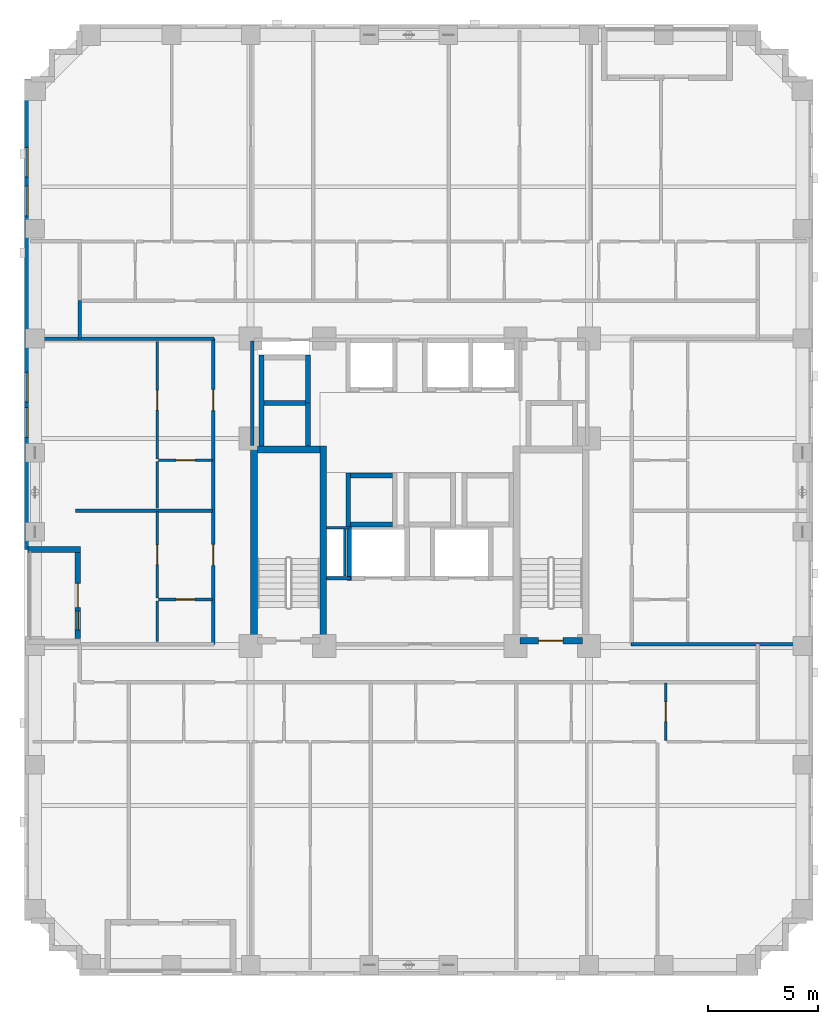
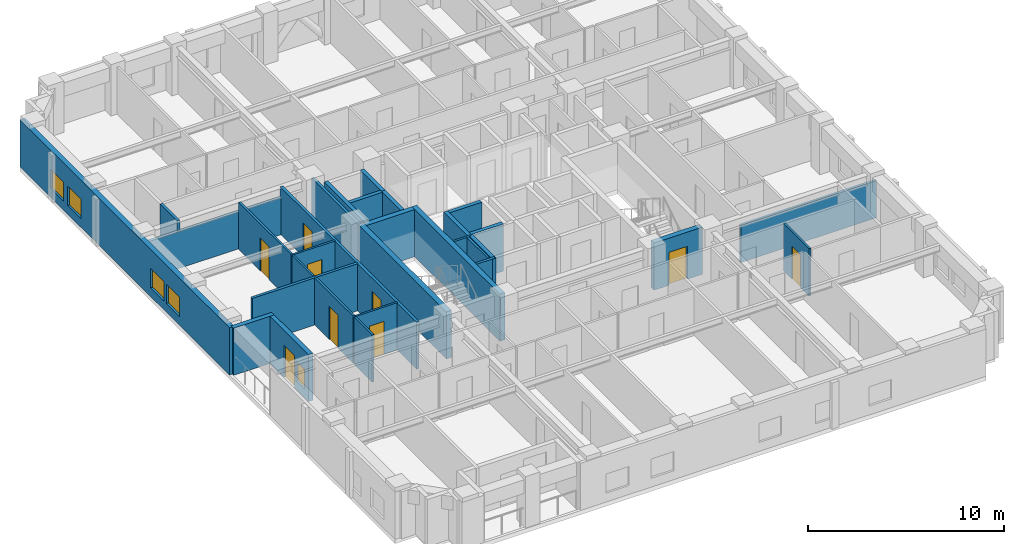
# One storey, part 4 of 12: 31 walls, 9 doors, 5 windows, 14 openings.
"""IFC4 building model written with IfcOpenShell, lengths in metres."""

from ifc_helpers import new_model, si_unit, derived_unit, direction, frame, frame_2d, origin, place, context, subcontext, project, spatial, rectangle, extrude, material, layer, layer_set, type_object, element, fill, save


model = new_model("IFC4")

# Units and contexts
model_context = context("Model", 3, precision=1e-05, world=origin(), true_north=direction((0.0, 1.0)))
body_context = subcontext(model_context, "Body", "Model", "MODEL_VIEW")
ifc_project = project(units=[si_unit("LENGTHUNIT", "METRE"), si_unit("AREAUNIT", "SQUARE_METRE"), si_unit("VOLUMEUNIT", "CUBIC_METRE"), si_unit("PLANEANGLEUNIT", "RADIAN"), si_unit("MASSUNIT", "GRAM", prefix="KILO"), derived_unit("THERMALTRANSMITTANCEUNIT", [(si_unit("MASSUNIT", "GRAM", prefix="KILO"), 1), (si_unit("TIMEUNIT", "SECOND"), -3), (si_unit("THERMODYNAMICTEMPERATUREUNIT", "KELVIN"), -1)])], contexts=[model_context])

# Site, building, storey
site_placement = place(None, origin())
site = spatial("IfcSite", under=ifc_project, at=site_placement, CompositionType="ELEMENT")
building_placement = place(site_placement, origin())
building = spatial("IfcBuilding", under=site, at=building_placement, Name="Korrvale Station Residences", CompositionType="ELEMENT")
storey_placement = place(building_placement, frame((0.0, 0.0, 94.300048828125)))
storey = spatial("IfcBuildingStorey", under=building, at=storey_placement, Name="L26", CompositionType="ELEMENT", Elevation=94.300048828125)

# Walls
ifc_material_1 = material(Name="Concrete C60/75", Category="concrete")
ifc_layer_1 = layer(ifc_material_1, 0.300048828125, Name="Concrete C60/75")
ifc_layer_set_1 = layer_set([ifc_layer_1], Name="Concrete C60/75")
wall_type_1 = type_object("IfcWallType", Name="WAL-CORE-300-C60", PredefinedType="SHEAR", material=ifc_layer_set_1)
for number, where, z_axis, x_axis, name in (
    (1, (17.949951171875, 15.10009765625, 0.0), (0.0, 0.0, 1.0), (0.0, 1.0, 0.0), "L26 ST-1 Core Shear Wall West"),
    (2, (21.10009765625, 15.10009765625, 0.0), (0.0, 0.0, 1.0), (0.0, 1.0, 0.0), "L26 ST-1 Core Shear Wall East"),
):
    element("IfcWall", number, at=place(storey_placement, frame(where, z_axis=z_axis, x_axis=x_axis)), inside=storey, type_object=wall_type_1, Name=name, PredefinedType="SHEAR", context=body_context, shape_type="SweptSolid", body=[
        extrude(rectangle(XDim=9.0, YDim=0.300048828125, at=frame_2d((4.5, 0.0))), origin(), (0.0, 0.0, 1.0), 2.93994140625),
    ])
wall_1_placement = place(storey_placement, frame((18.10009765625, 23.949951171875, 0.0), z_axis=(0.0, 0.0, 1.0), x_axis=(1.0, 0.0, 0.0)))
element("IfcWall", 3, at=wall_1_placement, inside=storey, type_object=wall_type_1, Name="L26 ST-1 Core Shear Wall North", PredefinedType="SHEAR", context=body_context, shape_type="SweptSolid", body=[
    extrude(rectangle(XDim=2.849853515625, YDim=0.300048828125, at=frame_2d((1.4248046875, 0.0))), origin(), (0.0, 0.0, 1.0), 2.93994140625),
])

# Wall, opening, door
wall_2_placement = place(storey_placement, frame((30.050048828125, 15.25, 0.0), z_axis=(0.0, 0.0, 1.0), x_axis=(1.0, 0.0, 0.0)))
wall_2 = element("IfcWall", 4, at=wall_2_placement, inside=storey, type_object=wall_type_1, Name="L26 ST-2 Core Shear Wall South", PredefinedType="SHEAR", context=body_context, shape_type="SweptSolid", body=[
    extrude(rectangle(XDim=2.849853515625, YDim=0.300048828125, at=frame_2d((1.4248046875, 0.0))), origin(), (0.0, 0.0, 1.0), 2.93994140625),
])
opening_1_placement = place(wall_2_placement, frame((0.860107421875, 0.0, 0.0)))
opening_1 = element("IfcOpeningElement", 5, at=opening_1_placement, cuts=wall_2, Name="Opening SD-1100", PredefinedType="OPENING", context=body_context, shape_type="SweptSolid", body=[
    extrude(rectangle(XDim=1.10009765625, YDim=2.050048828125, at=frame_2d((0.550048828125, 1.02490234375))), frame((0.0, 0.16015625, 0.0), z_axis=(0.0, -1.0, 0.0), x_axis=(1.0, 0.0, 0.0)), (0.0, 0.0, 1.0), 0.320068359375),
])
ifc_material_2 = material(Name="Hollow-metal fire-rated stair door with closer", Category="steel")
door_type_1 = type_object("IfcDoorType", Name="DR-STAIR-1100", OperationType="NOTDEFINED", PredefinedType="DOOR", material=ifc_material_2)
door_1_placement = place(opening_1_placement, origin())
door_1 = element("IfcDoor", 6, at=door_1_placement, inside=storey, type_object=door_type_1, Name="L26 ST-2 Exit Stair Door", OperationType="SINGLE_SWING_RIGHT", OverallHeight=2.050048828125, OverallWidth=1.10009765625, PredefinedType="DOOR", context=body_context, shape_type="SweptSolid", body=[
    extrude(rectangle(XDim=1.10009765625, YDim=2.050048828125, at=frame_2d((0.550048828125, 1.02490234375))), frame((0.0, 0.02490234375, 0.0), z_axis=(0.0, -1.0, 0.0), x_axis=(1.0, 0.0, 0.0)), (0.0, 0.0, 1.0), 0.050048828125),
])
fill(opening_1, door_1)

# Wall, openings, door, window
ifc_material_3 = material(Name="Precast concrete C45/55", Category="concrete")
ifc_layer_2 = layer(ifc_material_3, 0.260009765625, Name="Precast concrete C45/55")
ifc_layer_set_2 = layer_set([ifc_layer_2], Name="Precast concrete C45/55")
wall_type_2 = type_object("IfcWallType", Name="WAL-EXT-LOG260", PredefinedType="SOLIDWALL", material=ifc_layer_set_2)
wall_3_placement = place(storey_placement, frame((9.929931640625, 15.333984375, 0.0), z_axis=(0.0, 0.0, 1.0), x_axis=(0.0, 1.0, 0.0)))
wall_3 = element("IfcWall", 7, at=wall_3_placement, inside=storey, type_object=wall_type_2, Name="L26 Recessed Loggia Wall BAL-L26-W1-B", PredefinedType="SOLIDWALL", context=body_context, shape_type="SweptSolid", body=[
    extrude(rectangle(XDim=3.93212890625, YDim=0.260009765625, at=frame_2d((1.966064453125, 0.0))), origin(), (0.0, 0.0, 1.0), 2.93994140625),
])
opening_2_placement = place(wall_3_placement, frame((1.416015625, 0.0, 0.0)))
opening_2 = element("IfcOpeningElement", 8, at=opening_2_placement, cuts=wall_3, Name="Opening BD-01", PredefinedType="OPENING", context=body_context, shape_type="SweptSolid", body=[
    extrude(rectangle(XDim=1.10009765625, YDim=2.0, at=frame_2d((0.550048828125, 1.0))), frame((0.0, 0.14013671875, 0.0), z_axis=(0.0, -1.0, 0.0), x_axis=(1.0, 0.0, 0.0)), (0.0, 0.0, 1.0), 0.280029296875),
])
opening_3_placement = place(wall_3_placement, frame((0.406005859375, 0.0, 0.550048828125)))
opening_3 = element("IfcOpeningElement", 9, at=opening_3_placement, cuts=wall_3, Name="Opening W-11", PredefinedType="OPENING", context=body_context, shape_type="SweptSolid", body=[
    extrude(rectangle(XDim=0.85009765625, YDim=1.199951171875, at=frame_2d((0.425048828125, 0.60009765625))), frame((0.0, 0.14013671875, 0.0), z_axis=(0.0, -1.0, 0.0), x_axis=(1.0, 0.0, 0.0)), (0.0, 0.0, 1.0), 0.280029296875),
])
ifc_material_4 = material(Name="Exterior thermally broken aluminium glazed balcony door", Category="aluminium")
door_type_2 = type_object("IfcDoorType", Name="DR-EXT-BAL", OperationType="NOTDEFINED", PredefinedType="DOOR", material=ifc_material_4)
door_2_placement = place(opening_2_placement, origin())
door_2 = element("IfcDoor", 10, at=door_2_placement, inside=storey, type_object=door_type_2, Name="L26 Loggia Balcony Door BAL-L26-W1", OperationType="SINGLE_SWING_RIGHT", OverallHeight=2.0, OverallWidth=1.10009765625, PredefinedType="DOOR", context=body_context, shape_type="SweptSolid", body=[
    extrude(rectangle(XDim=1.10009765625, YDim=2.0, at=frame_2d((0.550048828125, 1.0))), frame((0.0, 0.02490234375, 0.0), z_axis=(0.0, -1.0, 0.0), x_axis=(1.0, 0.0, 0.0)), (0.0, 0.0, 1.0), 0.050048828125),
])
fill(opening_2, door_2)
ifc_material_5 = material(Name="Thermally broken aluminium frame with triple low-e glazing", Category="aluminium")
window_type_1 = type_object("IfcWindowType", Name="WIN-W11", PartitioningType="SINGLE_PANEL", PredefinedType="WINDOW", material=ifc_material_5)
window_1_placement = place(opening_3_placement, origin())
window_1 = element("IfcWindow", 11, at=window_1_placement, inside=storey, type_object=window_type_1, Name="L26 Punched Window 21", OverallHeight=1.199951171875, OverallWidth=0.85009765625, PartitioningType="SINGLE_PANEL", PredefinedType="WINDOW", context=body_context, shape_type="SweptSolid", body=[
    extrude(rectangle(XDim=0.85009765625, YDim=1.199951171875, at=frame_2d((0.425048828125, 0.60009765625))), frame((0.0, 0.030029296875, 0.0), z_axis=(0.0, -1.0, 0.0), x_axis=(1.0, 0.0, 0.0)), (0.0, 0.0, 1.0), 0.06005859375),
])
fill(opening_3, window_1)

# Wall
wall_4_placement = place(storey_placement, frame((10.06005859375, 19.39990234375, 0.0), z_axis=(0.0, 0.0, 1.0), x_axis=(-1.0, 0.0, 0.0)))
element("IfcWall", 12, at=wall_4_placement, inside=storey, type_object=wall_type_2, Name="L26 Recessed Loggia Wall BAL-L26-W1-R", PredefinedType="SOLIDWALL", context=body_context, shape_type="SweptSolid", body=[
    extrude(rectangle(XDim=2.400146484375, YDim=0.260009765625, at=frame_2d((1.2001953125, 0.0))), origin(), (0.0, 0.0, 1.0), 2.93994140625),
])

# Wall, openings, windows
ifc_layer_3 = layer(ifc_material_3, 0.300048828125, Name="Precast concrete C45/55")
ifc_layer_set_3 = layer_set([ifc_layer_3], Name="Precast concrete C45/55")
wall_type_3 = type_object("IfcWallType", Name="WAL-EXT-PC300", PredefinedType="SOLIDWALL", material=ifc_layer_set_3)
wall_5_placement = place(storey_placement, frame((7.64990234375, 19.39990234375, 0.0), z_axis=(0.0, 0.0, 1.0), x_axis=(0.0, 1.0, 0.0)))
wall_5 = element("IfcWall", 13, at=wall_5_placement, inside=storey, type_object=wall_type_3, Name="L26 West Exterior Precast Wall 2", PredefinedType="SOLIDWALL", context=body_context, shape_type="SweptSolid", body=[
    extrude(rectangle(XDim=21.400146484375, YDim=0.300048828125, at=frame_2d((10.7001953125, 0.0))), origin(), (0.0, 0.0, 1.0), 2.93994140625),
])
opening_4_placement = place(wall_5_placement, frame((16.95703125, 0.0, 0.550048828125)))
opening_4 = element("IfcOpeningElement", 14, at=opening_4_placement, cuts=wall_5, Name="Opening W-10", PredefinedType="OPENING", context=body_context, shape_type="SweptSolid", body=[
    extrude(rectangle(XDim=1.35009765625, YDim=1.199951171875, at=frame_2d((0.675048828125, 0.60009765625))), frame((0.0, 0.16015625, 0.0), z_axis=(0.0, -1.0, 0.0), x_axis=(1.0, 0.0, 0.0)), (0.0, 0.0, 1.0), 0.320068359375),
])
opening_5_placement = place(wall_5_placement, frame((15.18505859375, 0.0, 0.550048828125)))
opening_5 = element("IfcOpeningElement", 15, at=opening_5_placement, cuts=wall_5, Name="Opening W-10", PredefinedType="OPENING", context=body_context, shape_type="SweptSolid", body=[
    extrude(rectangle(XDim=1.35009765625, YDim=1.199951171875, at=frame_2d((0.675048828125, 0.60009765625))), frame((0.0, 0.16015625, 0.0), z_axis=(0.0, -1.0, 0.0), x_axis=(1.0, 0.0, 0.0)), (0.0, 0.0, 1.0), 0.320068359375),
])
opening_6_placement = place(wall_5_placement, frame((5.10009765625, 0.0, 0.550048828125)))
opening_6 = element("IfcOpeningElement", 16, at=opening_6_placement, cuts=wall_5, Name="Opening W-10", PredefinedType="OPENING", context=body_context, shape_type="SweptSolid", body=[
    extrude(rectangle(XDim=1.35009765625, YDim=1.199951171875, at=frame_2d((0.675048828125, 0.60009765625))), frame((0.0, 0.16015625, 0.0), z_axis=(0.0, -1.0, 0.0), x_axis=(1.0, 0.0, 0.0)), (0.0, 0.0, 1.0), 0.320068359375),
])
opening_7_placement = place(wall_5_placement, frame((6.7099609375, 0.0, 0.550048828125)))
opening_7 = element("IfcOpeningElement", 17, at=opening_7_placement, cuts=wall_5, Name="Opening W-10", PredefinedType="OPENING", context=body_context, shape_type="SweptSolid", body=[
    extrude(rectangle(XDim=1.35009765625, YDim=1.199951171875, at=frame_2d((0.675048828125, 0.60009765625))), frame((0.0, 0.16015625, 0.0), z_axis=(0.0, -1.0, 0.0), x_axis=(1.0, 0.0, 0.0)), (0.0, 0.0, 1.0), 0.320068359375),
])
window_type_2 = type_object("IfcWindowType", Name="WIN-W10", PartitioningType="SINGLE_PANEL", PredefinedType="WINDOW", material=ifc_material_5)
window_2_placement = place(opening_4_placement, origin())
window_2 = element("IfcWindow", 18, at=window_2_placement, inside=storey, type_object=window_type_2, Name="L26 Punched Window 11", OverallHeight=1.199951171875, OverallWidth=1.35009765625, PartitioningType="SINGLE_PANEL", PredefinedType="WINDOW", context=body_context, shape_type="SweptSolid", body=[
    extrude(rectangle(XDim=1.35009765625, YDim=1.199951171875, at=frame_2d((0.675048828125, 0.60009765625))), frame((0.0, 0.030029296875, 0.0), z_axis=(0.0, -1.0, 0.0), x_axis=(1.0, 0.0, 0.0)), (0.0, 0.0, 1.0), 0.06005859375),
])
fill(opening_4, window_2)
window_3_placement = place(opening_5_placement, origin())
window_3 = element("IfcWindow", 19, at=window_3_placement, inside=storey, type_object=window_type_2, Name="L26 Punched Window 12", OverallHeight=1.199951171875, OverallWidth=1.35009765625, PartitioningType="SINGLE_PANEL", PredefinedType="WINDOW", context=body_context, shape_type="SweptSolid", body=[
    extrude(rectangle(XDim=1.35009765625, YDim=1.199951171875, at=frame_2d((0.675048828125, 0.60009765625))), frame((0.0, 0.030029296875, 0.0), z_axis=(0.0, -1.0, 0.0), x_axis=(1.0, 0.0, 0.0)), (0.0, 0.0, 1.0), 0.06005859375),
])
fill(opening_5, window_3)
window_4_placement = place(opening_6_placement, origin())
window_4 = element("IfcWindow", 20, at=window_4_placement, inside=storey, type_object=window_type_2, Name="L26 Punched Window 22", OverallHeight=1.199951171875, OverallWidth=1.35009765625, PartitioningType="SINGLE_PANEL", PredefinedType="WINDOW", context=body_context, shape_type="SweptSolid", body=[
    extrude(rectangle(XDim=1.35009765625, YDim=1.199951171875, at=frame_2d((0.675048828125, 0.60009765625))), frame((0.0, 0.030029296875, 0.0), z_axis=(0.0, -1.0, 0.0), x_axis=(1.0, 0.0, 0.0)), (0.0, 0.0, 1.0), 0.06005859375),
])
fill(opening_6, window_4)
window_5_placement = place(opening_7_placement, origin())
window_5 = element("IfcWindow", 21, at=window_5_placement, inside=storey, type_object=window_type_2, Name="L26 Punched Window 23", OverallHeight=1.199951171875, OverallWidth=1.35009765625, PartitioningType="SINGLE_PANEL", PredefinedType="WINDOW", context=body_context, shape_type="SweptSolid", body=[
    extrude(rectangle(XDim=1.35009765625, YDim=1.199951171875, at=frame_2d((0.675048828125, 0.60009765625))), frame((0.0, 0.030029296875, 0.0), z_axis=(0.0, -1.0, 0.0), x_axis=(1.0, 0.0, 0.0)), (0.0, 0.0, 1.0), 0.06005859375),
])
fill(opening_7, window_5)

# Walls
ifc_material_6 = material(Name="Acoustic steel-stud gypsum board partition", Category="steel")
ifc_layer_4 = layer(ifc_material_6, 0.1201171875, Name="Acoustic steel-stud gypsum board partition")
ifc_layer_set_4 = layer_set([ifc_layer_4], Name="Acoustic steel-stud gypsum board partition")
wall_type_4 = type_object("IfcWallType", Name="WAL-PART-125", PredefinedType="PARTITIONING", material=ifc_layer_set_4)
wall_6_placement = place(storey_placement, frame((22.080078125, 18.199951171875, 0.0), z_axis=(0.0, 0.0, 1.0), x_axis=(0.0, 1.0, 0.0)))
element("IfcWall", 22, at=wall_6_placement, inside=storey, type_object=wall_type_4, Name="L26 Core Partition CW-RSWT", PredefinedType="PARTITIONING", context=body_context, shape_type="SweptSolid", body=[
    extrude(rectangle(XDim=2.1201171875, YDim=0.1201171875, at=frame_2d((1.06005859375, 0.0))), origin(), (0.0, 0.0, 1.0), 2.93994140625),
])
wall_7_placement = place(storey_placement, frame((22.280029296875, 20.3798828125, 0.0), z_axis=(0.0, 0.0, 1.0), x_axis=(-1.0, 0.0, 0.0)))
element("IfcWall", 23, at=wall_7_placement, inside=storey, type_object=wall_type_4, Name="L26 Core Partition CW-RSWT-N", PredefinedType="PARTITIONING", context=body_context, shape_type="SweptSolid", body=[
    extrude(rectangle(XDim=1.02001953125, YDim=0.1201171875, at=frame_2d((0.510009765625, 0.0))), origin(), (0.0, 0.0, 1.0), 2.93994140625),
])

# Wall, opening, door
wall_8_placement = place(storey_placement, frame((36.699951171875, 10.7099609375, 0.0), z_axis=(0.0, 0.0, 1.0), x_axis=(0.0, 1.0, 0.0)))
wall_8 = element("IfcWall", 24, at=wall_8_placement, inside=storey, type_object=wall_type_4, Name="L26 Suite Partition U04-V12", PredefinedType="PARTITIONING", context=body_context, shape_type="SweptSolid", body=[
    extrude(rectangle(XDim=2.60009765625, YDim=0.1201171875, at=frame_2d((1.300048828125, 0.0))), origin(), (0.0, 0.0, 1.0), 2.93994140625),
])
opening_8_placement = place(wall_8_placement, frame((0.85009765625, 0.0, 0.0)))
opening_8 = element("IfcOpeningElement", 25, at=opening_8_placement, cuts=wall_8, Name="Opening DI-900", PredefinedType="OPENING", context=body_context, shape_type="SweptSolid", body=[
    extrude(rectangle(XDim=0.89990234375, YDim=2.050048828125, at=frame_2d((0.449951171875, 1.02490234375))), frame((0.0, 0.070068359375, 0.0), z_axis=(0.0, -1.0, 0.0), x_axis=(1.0, 0.0, 0.0)), (0.0, 0.0, 1.0), 0.14013671875),
])
ifc_material_7 = material(Name="Painted solid-core timber interior room door", Category="wood")
door_type_3 = type_object("IfcDoorType", Name="DR-INT-900", OperationType="NOTDEFINED", PredefinedType="DOOR", material=ifc_material_7)
door_3_placement = place(opening_8_placement, origin())
door_3 = element("IfcDoor", 26, at=door_3_placement, inside=storey, type_object=door_type_3, Name="L26 Studio Apartment L26-U04 Kitchen Door", OperationType="SINGLE_SWING_RIGHT", OverallHeight=2.050048828125, OverallWidth=0.89990234375, PredefinedType="DOOR", context=body_context, shape_type="SweptSolid", body=[
    extrude(rectangle(XDim=0.89990234375, YDim=2.050048828125, at=frame_2d((0.449951171875, 1.02490234375))), frame((0.0, 0.02490234375, 0.0), z_axis=(0.0, -1.0, 0.0), x_axis=(1.0, 0.0, 0.0)), (0.0, 0.0, 1.0), 0.050048828125),
])
fill(opening_8, door_3)

wall_9_placement = place(storey_placement, frame((13.610107421875, 17.1201171875, 0.0), z_axis=(0.0, 0.0, 1.0), x_axis=(1.0, 0.0, 0.0)))
wall_9 = element("IfcWall", 27, at=wall_9_placement, inside=storey, type_object=wall_type_4, Name="L26 Suite Partition U08-H01", PredefinedType="PARTITIONING", context=body_context, shape_type="SweptSolid", body=[
    extrude(rectangle(XDim=2.449951171875, YDim=0.1201171875, at=frame_2d((1.22509765625, 0.0))), origin(), (0.0, 0.0, 1.0), 2.93994140625),
])
opening_9_placement = place(wall_9_placement, frame((0.794921875, 0.0, 0.0)))
opening_9 = element("IfcOpeningElement", 28, at=opening_9_placement, cuts=wall_9, Name="Opening DB-860", PredefinedType="OPENING", context=body_context, shape_type="SweptSolid", body=[
    extrude(rectangle(XDim=0.860107421875, YDim=2.050048828125, at=frame_2d((0.43017578125, 1.02490234375))), frame((0.0, 0.070068359375, 0.0), z_axis=(0.0, -1.0, 0.0), x_axis=(1.0, 0.0, 0.0)), (0.0, 0.0, 1.0), 0.14013671875),
])
ifc_material_8 = material(Name="Moisture-resistant solid-core bathroom door", Category="timber")
door_type_4 = type_object("IfcDoorType", Name="DR-BATH-860", OperationType="NOTDEFINED", PredefinedType="DOOR", material=ifc_material_8)
door_4_placement = place(opening_9_placement, origin())
door_4 = element("IfcDoor", 29, at=door_4_placement, inside=storey, type_object=door_type_4, Name="L26 Apartment 1BR L26-U08 Bathroom Door", OperationType="SINGLE_SWING_LEFT", OverallHeight=2.050048828125, OverallWidth=0.860107421875, PredefinedType="DOOR", context=body_context, shape_type="SweptSolid", body=[
    extrude(rectangle(XDim=0.860107421875, YDim=2.050048828125, at=frame_2d((0.43017578125, 1.02490234375))), frame((0.0, 0.02490234375, 0.0), z_axis=(0.0, -1.0, 0.0), x_axis=(1.0, 0.0, 0.0)), (0.0, 0.0, 1.0), 0.050048828125),
])
fill(opening_9, door_4)

# Wall
wall_10_placement = place(storey_placement, frame((13.550048828125, 15.2099609375, 0.0), z_axis=(0.0, 0.0, 1.0), x_axis=(0.0, 1.0, 0.0)))
element("IfcWall", 30, at=wall_10_placement, inside=storey, type_object=wall_type_4, Name="L26 Suite Partition U08-V02", PredefinedType="PARTITIONING", context=body_context, shape_type="SweptSolid", body=[
    extrude(rectangle(XDim=1.85009765625, YDim=0.1201171875, at=frame_2d((0.925048828125, 0.0))), origin(), (0.0, 0.0, 1.0), 2.93994140625),
])

# Wall, opening, door
wall_11_placement = place(storey_placement, frame((13.550048828125, 17.179931640625, 0.0), z_axis=(0.0, 0.0, 1.0), x_axis=(0.0, 1.0, 0.0)))
wall_11 = element("IfcWall", 31, at=wall_11_placement, inside=storey, type_object=wall_type_4, Name="L26 Suite Partition U08-V12", PredefinedType="PARTITIONING", context=body_context, shape_type="SweptSolid", body=[
    extrude(rectangle(XDim=3.946044921875, YDim=0.1201171875, at=frame_2d((1.97314453125, 0.0))), origin(), (0.0, 0.0, 1.0), 2.93994140625),
])
opening_10_placement = place(wall_11_placement, frame((1.52294921875, 0.0, 0.0)))
opening_10 = element("IfcOpeningElement", 32, at=opening_10_placement, cuts=wall_11, Name="Opening DI-900", PredefinedType="OPENING", context=body_context, shape_type="SweptSolid", body=[
    extrude(rectangle(XDim=0.89990234375, YDim=2.050048828125, at=frame_2d((0.449951171875, 1.02490234375))), frame((0.0, 0.070068359375, 0.0), z_axis=(0.0, -1.0, 0.0), x_axis=(1.0, 0.0, 0.0)), (0.0, 0.0, 1.0), 0.14013671875),
])
door_5_placement = place(opening_10_placement, origin())
door_5 = element("IfcDoor", 33, at=door_5_placement, inside=storey, type_object=door_type_3, Name="L26 Apartment 1BR L26-U08 Kitchen Door", OperationType="SINGLE_SWING_RIGHT", OverallHeight=2.050048828125, OverallWidth=0.89990234375, PredefinedType="DOOR", context=body_context, shape_type="SweptSolid", body=[
    extrude(rectangle(XDim=0.89990234375, YDim=2.050048828125, at=frame_2d((0.449951171875, 1.02490234375))), frame((0.0, 0.02490234375, 0.0), z_axis=(0.0, -1.0, 0.0), x_axis=(1.0, 0.0, 0.0)), (0.0, 0.0, 1.0), 0.050048828125),
])
fill(opening_10, door_5)

wall_12_placement = place(storey_placement, frame((13.610107421875, 23.467041015625, 0.0), z_axis=(0.0, 0.0, 1.0), x_axis=(1.0, 0.0, 0.0)))
wall_12 = element("IfcWall", 34, at=wall_12_placement, inside=storey, type_object=wall_type_4, Name="L26 Suite Partition U09-H01", PredefinedType="PARTITIONING", context=body_context, shape_type="SweptSolid", body=[
    extrude(rectangle(XDim=2.449951171875, YDim=0.1201171875, at=frame_2d((1.22509765625, 0.0))), origin(), (0.0, 0.0, 1.0), 2.93994140625),
])
opening_11_placement = place(wall_12_placement, frame((0.794921875, 0.0, 0.0)))
opening_11 = element("IfcOpeningElement", 35, at=opening_11_placement, cuts=wall_12, Name="Opening DB-860", PredefinedType="OPENING", context=body_context, shape_type="SweptSolid", body=[
    extrude(rectangle(XDim=0.860107421875, YDim=2.050048828125, at=frame_2d((0.43017578125, 1.02490234375))), frame((0.0, 0.070068359375, 0.0), z_axis=(0.0, -1.0, 0.0), x_axis=(1.0, 0.0, 0.0)), (0.0, 0.0, 1.0), 0.14013671875),
])
door_6_placement = place(opening_11_placement, origin())
door_6 = element("IfcDoor", 36, at=door_6_placement, inside=storey, type_object=door_type_4, Name="L26 Apartment 1BR L26-U09 Bathroom Door", OperationType="SINGLE_SWING_LEFT", OverallHeight=2.050048828125, OverallWidth=0.860107421875, PredefinedType="DOOR", context=body_context, shape_type="SweptSolid", body=[
    extrude(rectangle(XDim=0.860107421875, YDim=2.050048828125, at=frame_2d((0.43017578125, 1.02490234375))), frame((0.0, 0.02490234375, 0.0), z_axis=(0.0, -1.0, 0.0), x_axis=(1.0, 0.0, 0.0)), (0.0, 0.0, 1.0), 0.050048828125),
])
fill(opening_11, door_6)

# Wall
wall_13_placement = place(storey_placement, frame((13.550048828125, 21.285888671875, 0.0), z_axis=(0.0, 0.0, 1.0), x_axis=(0.0, 1.0, 0.0)))
element("IfcWall", 37, at=wall_13_placement, inside=storey, type_object=wall_type_4, Name="L26 Suite Partition U09-V02", PredefinedType="PARTITIONING", context=body_context, shape_type="SweptSolid", body=[
    extrude(rectangle(XDim=2.12109375, YDim=0.1201171875, at=frame_2d((1.060546875, 0.0))), origin(), (0.0, 0.0, 1.0), 2.93994140625),
])

# Wall, opening, door
wall_14_placement = place(storey_placement, frame((13.550048828125, 23.527099609375, 0.0), z_axis=(0.0, 0.0, 1.0), x_axis=(0.0, 1.0, 0.0)))
wall_14 = element("IfcWall", 38, at=wall_14_placement, inside=storey, type_object=wall_type_4, Name="L26 Suite Partition U09-V12", PredefinedType="PARTITIONING", context=body_context, shape_type="SweptSolid", body=[
    extrude(rectangle(XDim=5.3330078125, YDim=0.1201171875, at=frame_2d((2.66650390625, 0.0))), origin(), (0.0, 0.0, 1.0), 2.93994140625),
])
opening_12_placement = place(wall_14_placement, frame((2.216064453125, 0.0, 0.0)))
opening_12 = element("IfcOpeningElement", 39, at=opening_12_placement, cuts=wall_14, Name="Opening DI-900", PredefinedType="OPENING", context=body_context, shape_type="SweptSolid", body=[
    extrude(rectangle(XDim=0.89990234375, YDim=2.050048828125, at=frame_2d((0.449951171875, 1.02490234375))), frame((0.0, 0.070068359375, 0.0), z_axis=(0.0, -1.0, 0.0), x_axis=(1.0, 0.0, 0.0)), (0.0, 0.0, 1.0), 0.14013671875),
])
door_7_placement = place(opening_12_placement, origin())
door_7 = element("IfcDoor", 40, at=door_7_placement, inside=storey, type_object=door_type_3, Name="L26 Apartment 1BR L26-U09 Kitchen Door", OperationType="SINGLE_SWING_RIGHT", OverallHeight=2.050048828125, OverallWidth=0.89990234375, PredefinedType="DOOR", context=body_context, shape_type="SweptSolid", body=[
    extrude(rectangle(XDim=0.89990234375, YDim=2.050048828125, at=frame_2d((0.449951171875, 1.02490234375))), frame((0.0, 0.02490234375, 0.0), z_axis=(0.0, -1.0, 0.0), x_axis=(1.0, 0.0, 0.0)), (0.0, 0.0, 1.0), 0.050048828125),
])
fill(opening_12, door_7)

# Walls
ifc_material_9 = material(Name="Fire-rated twin-stud gypsum and mineral wool shaftwall assembly", Category="gypsum")
ifc_layer_5 = layer(ifc_material_9, 0.159912109375, Name="Fire-rated twin-stud gypsum and mineral wool shaftwall assembly")
ifc_layer_set_5 = layer_set([ifc_layer_5], Name="Fire-rated twin-stud gypsum and mineral wool shaftwall assembly")
wall_type_5 = type_object("IfcWallType", Name="WAL-PART-200", PredefinedType="PARTITIONING", material=ifc_layer_set_5)
wall_15_placement = place(storey_placement, frame((21.25, 18.080078125, 0.0), z_axis=(0.0, 0.0, 1.0), x_axis=(1.0, 0.0, 0.0)))
element("IfcWall", 41, at=wall_15_placement, inside=storey, type_object=wall_type_5, Name="L26 Core Partition CW-FFL-N1", PredefinedType="PARTITIONING", context=body_context, shape_type="SweptSolid", body=[
    extrude(rectangle(XDim=1.10009765625, YDim=0.159912109375, at=frame_2d((0.550048828125, 0.0))), origin(), (0.0, 0.0, 1.0), 2.93994140625),
])
wall_16_placement = place(storey_placement, frame((17.8798828125, 24.1201171875, 0.0), z_axis=(0.0, 0.0, 1.0), x_axis=(0.0, 1.0, 0.0)))
element("IfcWall", 42, at=wall_16_placement, inside=storey, type_object=wall_type_5, Name="L26 Core Partition CW-W-N", PredefinedType="PARTITIONING", context=body_context, shape_type="SweptSolid", body=[
    extrude(rectangle(XDim=4.759765625, YDim=0.159912109375, at=frame_2d((2.3798828125, 0.0))), origin(), (0.0, 0.0, 1.0), 2.93994140625),
])
wall_17_placement = place(storey_placement, frame((10.02001953125, 28.97998046875, 0.0), z_axis=(0.0, 0.0, 1.0), x_axis=(0.0, 1.0, 0.0)))
element("IfcWall", 43, at=wall_17_placement, inside=storey, type_object=wall_type_5, Name="L26 Corridor North West Cap", PredefinedType="PARTITIONING", context=body_context, shape_type="SweptSolid", body=[
    extrude(rectangle(XDim=1.739990234375, YDim=0.159912109375, at=frame_2d((0.8701171875, 0.0))), origin(), (0.0, 0.0, 1.0), 2.93994140625),
])
wall_18_placement = place(storey_placement, frame((7.780029296875, 28.97998046875, 0.0), z_axis=(0.0, 0.0, 1.0), x_axis=(1.0, 0.0, 0.0)))
element("IfcWall", 44, at=wall_18_placement, inside=storey, type_object=wall_type_5, Name="L26 West Wing North Corridor Wall", PredefinedType="PARTITIONING", context=body_context, shape_type="SweptSolid", body=[
    extrude(rectangle(XDim=8.35986328125, YDim=0.159912109375, at=frame_2d((4.179931640625, 0.0))), origin(), (0.0, 0.0, 1.0), 2.308837890625),
])
wall_19_placement = place(storey_placement, frame((35.110107421875, 15.090087890625, 0.0), z_axis=(0.0, 0.0, 1.0), x_axis=(1.0, 0.0, 0.0)))
element("IfcWall", 45, at=wall_19_placement, inside=storey, type_object=wall_type_5, Name="L26 East Wing South Corridor Wall", PredefinedType="PARTITIONING", context=body_context, shape_type="SweptSolid", body=[
    extrude(rectangle(XDim=8.010009765625, YDim=0.159912109375, at=frame_2d((4.0048828125, 0.0))), origin(), (0.0, 0.0, 1.0), 2.308837890625),
])
wall_20_placement = place(storey_placement, frame((9.820068359375, 21.166015625, 0.0), z_axis=(0.0, 0.0, 1.0), x_axis=(1.0, 0.0, 0.0)))
element("IfcWall", 46, at=wall_20_placement, inside=storey, type_object=wall_type_5, Name="L26 Demising Wall U08-N", PredefinedType="PARTITIONING", context=body_context, shape_type="SweptSolid", body=[
    extrude(rectangle(XDim=6.239990234375, YDim=0.159912109375, at=frame_2d((3.1201171875, 0.0))), origin(), (0.0, 0.0, 1.0), 2.93994140625),
])

# Wall, openings, doors
wall_21_placement = place(storey_placement, frame((16.10009765625, 15.070068359375, 0.0), z_axis=(0.0, 0.0, 1.0), x_axis=(0.0, 1.0, 0.0)))
wall_21 = element("IfcWall", 47, at=wall_21_placement, inside=storey, type_object=wall_type_5, Name="L26 Rated Corridor Wall W", PredefinedType="PARTITIONING", context=body_context, shape_type="SweptSolid", body=[
    extrude(rectangle(XDim=13.929931640625, YDim=0.159912109375, at=frame_2d((6.96484375, 0.0))), origin(), (0.0, 0.0, 1.0), 2.93994140625),
])
opening_13_placement = place(wall_21_placement, frame((3.60791015625, 0.0, 0.0)))
opening_13 = element("IfcOpeningElement", 48, at=opening_13_placement, cuts=wall_21, Name="Opening UD-950", PredefinedType="OPENING", context=body_context, shape_type="SweptSolid", body=[
    extrude(rectangle(XDim=0.949951171875, YDim=2.10009765625, at=frame_2d((0.47509765625, 1.050048828125))), frame((0.0, 0.08984375, 0.0), z_axis=(0.0, -1.0, 0.0), x_axis=(1.0, 0.0, 0.0)), (0.0, 0.0, 1.0), 0.179931640625),
])
opening_14_placement = place(wall_21_placement, frame((10.64892578125, 0.0, 0.0)))
opening_14 = element("IfcOpeningElement", 49, at=opening_14_placement, cuts=wall_21, Name="Opening UD-950", PredefinedType="OPENING", context=body_context, shape_type="SweptSolid", body=[
    extrude(rectangle(XDim=0.949951171875, YDim=2.10009765625, at=frame_2d((0.47509765625, 1.050048828125))), frame((0.0, 0.08984375, 0.0), z_axis=(0.0, -1.0, 0.0), x_axis=(1.0, 0.0, 0.0)), (0.0, 0.0, 1.0), 0.179931640625),
])
ifc_material_10 = material(Name="Solid-core acoustic oak apartment entrance door", Category="timber")
door_type_5 = type_object("IfcDoorType", Name="DR-UNIT-950", OperationType="NOTDEFINED", PredefinedType="DOOR", material=ifc_material_10)
door_8_placement = place(opening_13_placement, origin())
door_8 = element("IfcDoor", 50, at=door_8_placement, inside=storey, type_object=door_type_5, Name="L26 Apartment L26-U08 Entrance Door", OperationType="SINGLE_SWING_RIGHT", OverallHeight=2.10009765625, OverallWidth=0.949951171875, PredefinedType="DOOR", context=body_context, shape_type="SweptSolid", body=[
    extrude(rectangle(XDim=0.949951171875, YDim=2.10009765625, at=frame_2d((0.47509765625, 1.050048828125))), frame((0.0, 0.02490234375, 0.0), z_axis=(0.0, -1.0, 0.0), x_axis=(1.0, 0.0, 0.0)), (0.0, 0.0, 1.0), 0.050048828125),
])
fill(opening_13, door_8)
door_9_placement = place(opening_14_placement, origin())
door_9 = element("IfcDoor", 51, at=door_9_placement, inside=storey, type_object=door_type_5, Name="L26 Apartment L26-U09 Entrance Door", OperationType="SINGLE_SWING_LEFT", OverallHeight=2.10009765625, OverallWidth=0.949951171875, PredefinedType="DOOR", context=body_context, shape_type="SweptSolid", body=[
    extrude(rectangle(XDim=0.949951171875, YDim=2.10009765625, at=frame_2d((0.47509765625, 1.050048828125))), frame((0.0, 0.02490234375, 0.0), z_axis=(0.0, -1.0, 0.0), x_axis=(1.0, 0.0, 0.0)), (0.0, 0.0, 1.0), 0.050048828125),
])
fill(opening_14, door_9)

# Walls
ifc_layer_6 = layer(ifc_material_1, 0.219970703125, Name="Concrete C60/75")
ifc_layer_set_6 = layer_set([ifc_layer_6], Name="Concrete C60/75")
wall_type_6 = type_object("IfcWallType", Name="WAL-SHAFT-220-C60", PredefinedType="SHEAR", material=ifc_layer_set_6)
for number, where, z_axis, x_axis, name in (
    (52, (22.35009765625, 20.5400390625, 0.0), (0.0, 0.0, 1.0), (1.0, 0.0, 0.0), "L26 Elevator PM-1 Hoistway Wall South"),
    (53, (22.35009765625, 22.760009765625, 0.0), (0.0, 0.0, 1.0), (1.0, 0.0, 0.0), "L26 Elevator PM-1 Hoistway Wall North"),
):
    element("IfcWall", number, at=place(storey_placement, frame(where, z_axis=z_axis, x_axis=x_axis)), inside=storey, type_object=wall_type_6, Name=name, PredefinedType="SHEAR", context=body_context, shape_type="SweptSolid", body=[
        extrude(rectangle(XDim=1.89990234375, YDim=0.219970703125, at=frame_2d((0.949951171875, 0.0))), origin(), (0.0, 0.0, 1.0), 2.93994140625),
    ])
wall_22_placement = place(storey_placement, frame((22.239990234375, 20.429931640625, 0.0), z_axis=(0.0, 0.0, 1.0), x_axis=(0.0, 1.0, 0.0)))
element("IfcWall", 54, at=wall_22_placement, inside=storey, type_object=wall_type_6, Name="L26 Elevator PM-1 Hoistway Wall West", PredefinedType="SHEAR", context=body_context, shape_type="SweptSolid", body=[
    extrude(rectangle(XDim=2.440185546875, YDim=0.219970703125, at=frame_2d((1.22021484375, 0.0))), origin(), (0.0, 0.0, 1.0), 2.93994140625),
])
wall_23_placement = place(storey_placement, frame((18.2900390625, 24.10009765625, 0.0), z_axis=(0.0, 0.0, 1.0), x_axis=(0.0, 1.0, 0.0)))
element("IfcWall", 55, at=wall_23_placement, inside=storey, type_object=wall_type_6, Name="L26 Elevator PH-1 Hoistway Wall West", PredefinedType="SHEAR", context=body_context, shape_type="SweptSolid", body=[
    extrude(rectangle(XDim=4.139892578125, YDim=0.219970703125, at=frame_2d((2.06982421875, 0.0))), origin(), (0.0, 0.0, 1.0), 2.93994140625),
])
wall_24_placement = place(storey_placement, frame((20.409912109375, 24.10009765625, 0.0), z_axis=(0.0, 0.0, 1.0), x_axis=(0.0, 1.0, 0.0)))
element("IfcWall", 56, at=wall_24_placement, inside=storey, type_object=wall_type_6, Name="L26 Elevator PH-1 Hoistway Wall East", PredefinedType="SHEAR", context=body_context, shape_type="SweptSolid", body=[
    extrude(rectangle(XDim=1.9599609375, YDim=0.219970703125, at=frame_2d((0.97998046875, 0.0))), origin(), (0.0, 0.0, 1.0), 2.93994140625),
])
wall_25_placement = place(storey_placement, frame((18.39990234375, 26.06005859375, 0.0), z_axis=(0.0, 0.0, 1.0), x_axis=(1.0, 0.0, 0.0)))
element("IfcWall", 57, at=wall_25_placement, inside=storey, type_object=wall_type_6, Name="L26 Elevator PH-2 Hoistway Wall South", PredefinedType="SHEAR", context=body_context, shape_type="SweptSolid", body=[
    extrude(rectangle(XDim=1.900146484375, YDim=0.219970703125, at=frame_2d((0.9501953125, 0.0))), origin(), (0.0, 0.0, 1.0), 2.93994140625),
])
wall_26_placement = place(storey_placement, frame((20.409912109375, 26.06005859375, 0.0), z_axis=(0.0, 0.0, 1.0), x_axis=(0.0, 1.0, 0.0)))
element("IfcWall", 58, at=wall_26_placement, inside=storey, type_object=wall_type_6, Name="L26 Elevator PH-2 Hoistway Wall East", PredefinedType="SHEAR", context=body_context, shape_type="SweptSolid", body=[
    extrude(rectangle(XDim=2.179931640625, YDim=0.219970703125, at=frame_2d((1.08984375, 0.0))), origin(), (0.0, 0.0, 1.0), 2.93994140625),
])
wall_27_placement = place(storey_placement, frame((22.2900390625, 17.97998046875, 0.0), z_axis=(0.0, 0.0, 1.0), x_axis=(0.0, 1.0, 0.0)))
element("IfcWall", 59, at=wall_27_placement, inside=storey, type_object=wall_type_6, Name="L26 Elevator FFL-1 Hoistway Wall West", PredefinedType="SHEAR", context=body_context, shape_type="SweptSolid", body=[
    extrude(rectangle(XDim=2.5400390625, YDim=0.219970703125, at=frame_2d((1.27001953125, 0.0))), origin(), (0.0, 0.0, 1.0), 2.93994140625),
])

save(model, "model.ifc")
